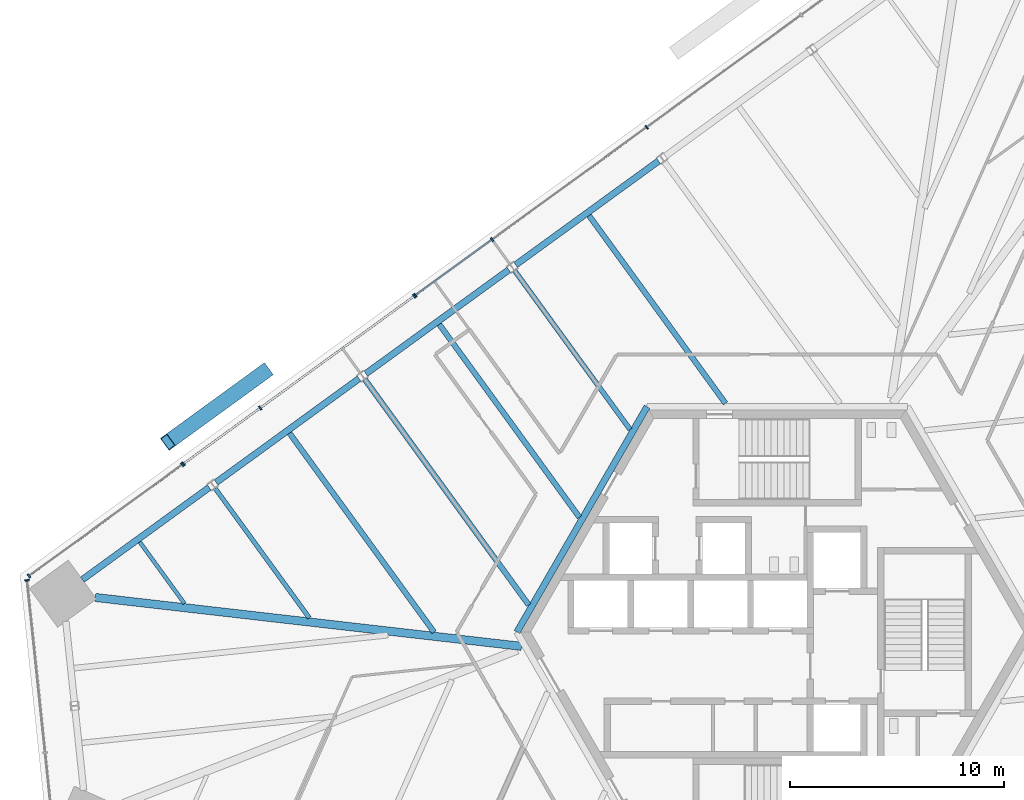
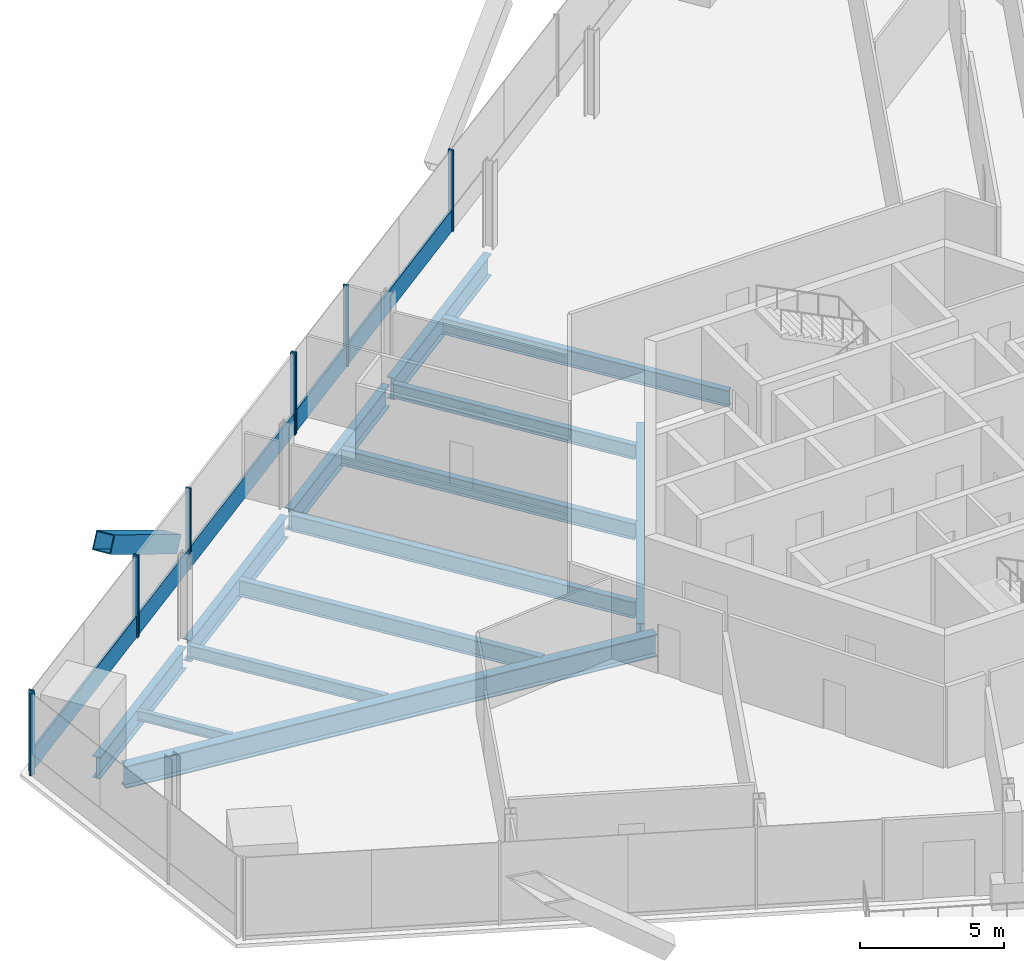
# One storey, part 6 of 18: 15 members, 13 beams, 4 elements without a shape of their own.
"""IFC4 building model written with IfcOpenShell, lengths in metres."""

from ifc_helpers import new_model, si_unit, direction, frame, origin, origin_2d, place, context, subcontext, project, spatial, rectangle, hollow_rectangle, i_section, extrude, source, transform, mapped, material, material_profile, profile_set, type_object, element, aggregate, save


model = new_model("IFC4")

# Units and contexts
model_context = context("Model", 3, precision=1e-05, world=origin(), true_north=direction((0.0, 1.0)))
body_context = subcontext(model_context, "Body", "Model", "MODEL_VIEW")
ifc_project = project(units=[si_unit("LENGTHUNIT", "METRE"), si_unit("AREAUNIT", "SQUARE_METRE"), si_unit("VOLUMEUNIT", "CUBIC_METRE"), si_unit("PLANEANGLEUNIT", "RADIAN"), si_unit("MASSUNIT", "GRAM", prefix="KILO")], contexts=[model_context])

# Site, building, storey
site_placement = place(None, origin())
site = spatial("IfcSite", under=ifc_project, at=site_placement, CompositionType="ELEMENT")
building_placement = place(site_placement, origin())
building = spatial("IfcBuilding", under=site, at=building_placement, Name="Triune Harvest Tower", CompositionType="ELEMENT")
storey_placement = place(building_placement, frame((0.0, 0.0, 83.699951171875)))
storey = spatial("IfcBuildingStorey", under=building, at=storey_placement, Name="L20", CompositionType="ELEMENT", Elevation=83.699951171875)

# Beams
ifc_material_1 = material(Name="Steel ASTM A992 Gr 50", Category="steel")
ifc_material_profile_1 = material_profile(ifc_material_1, i_section(OverallWidth=0.3046875, OverallDepth=0.914306640625, WebThickness=0.0166015625, FlangeThickness=0.02587890625, at=origin_2d()), Name="W36x160")
ifc_profile_set_1 = profile_set([ifc_material_profile_1], Name="Steel ASTM A992 Gr 50")
beam_type_1 = type_object("IfcBeamType", Name="CG-1 Core ring girder W36x160", PredefinedType="BEAM", material=ifc_profile_set_1)
shared_shape_1 = source(origin(), body_context, "Body", "SweptSolid", [
    extrude(i_section(OverallWidth=0.3046875, OverallDepth=0.914306640625, WebThickness=0.0166015625, FlangeThickness=0.02587890625, at=origin_2d()), origin(), (0.0, 0.0, 1.0), 12.176025390625),
])
beam_1_placement = place(storey_placement, frame((-6.087890625, 10.544677734375, -0.6171875), z_axis=(-0.5000099932, -0.866019634131, 0.0), x_axis=(0.866019634131, -0.5000099932, 0.0)))
element("IfcBeam", 1, at=beam_1_placement, inside=storey, type_object=beam_type_1, Name="beam/L20/CG3", PredefinedType="BEAM", context=body_context, shape_type="MappedRepresentation", body=[
    mapped(shared_shape_1, transform((0.0, 0.0, 0.0), scale=1.0)),
])
ifc_material_2 = material(Name="Steel ASTM A992 Gr 50", Category="steel")
ifc_material_profile_2 = material_profile(ifc_material_2, i_section(OverallWidth=0.3046875, OverallDepth=0.914306640625, WebThickness=0.0166015625, FlangeThickness=0.02587890625, at=origin_2d()), Name="W36x160")
ifc_profile_set_2 = profile_set([ifc_material_profile_2], Name="Steel ASTM A992 Gr 50")
beam_type_2 = type_object("IfcBeamType", Name="SB-1 Spandrel beam W36x160", PredefinedType="SPANDREL", material=ifc_profile_set_2)
shared_shape_2 = source(origin(), body_context, "Body", "SweptSolid", [
    extrude(i_section(OverallWidth=0.3046875, OverallDepth=0.914306640625, WebThickness=0.0166015625, FlangeThickness=0.02587890625, at=origin_2d()), origin(), (0.0, 0.0, 1.0), 7.337890625),
])
beam_2_placement = place(storey_placement, frame((-26.574951171875, 6.763916015625, -0.6171875), z_axis=(-0.80902661548, -0.58777200975, 0.0), x_axis=(0.58777200975, -0.80902661548, 0.0)))
element("IfcBeam", 2, at=beam_2_placement, inside=storey, type_object=beam_type_2, Name="beam/L20/SB14", PredefinedType="SPANDREL", context=body_context, shape_type="MappedRepresentation", body=[
    mapped(shared_shape_2, transform((0.0, 0.0, 0.0), scale=1.0)),
])
shared_shape_3 = source(origin(), body_context, "Body", "SweptSolid", [
    extrude(i_section(OverallWidth=0.3046875, OverallDepth=0.914306640625, WebThickness=0.0166015625, FlangeThickness=0.02587890625, at=origin_2d()), origin(), (0.0, 0.0, 1.0), 8.263427734375),
])
for number, where, z_axis, x_axis, name in (
    (3, (-5.55126953125, 22.03857421875, -0.6171875), (-0.809015786763, -0.587786914424, 0.0), (0.587786914424, -0.809015786763, 0.0), "beam/L20/SB11"),
    (4, (-12.55908203125, 16.947021484375, -0.6171875), (-0.809015786763, -0.587786914424, 0.0), (0.587786914424, -0.809015786763, 0.0), "beam/L20/SB12"),
    (5, (-19.56689453125, 11.85546875, -0.6171875), (-0.809015786763, -0.587786914424, 0.0), (0.587786914424, -0.809015786763, 0.0), "beam/L20/SB13"),
):
    element("IfcBeam", number, at=place(storey_placement, frame(where, z_axis=z_axis, x_axis=x_axis)), inside=storey, type_object=beam_type_2, Name=name, PredefinedType="SPANDREL", context=body_context, shape_type="MappedRepresentation", body=[
        mapped(shared_shape_3, transform((0.0, 0.0, 0.0), scale=1.0)),
    ])
ifc_material_3 = material(Name="Steel ASTM A992 Gr 50", Category="steel")
ifc_material_profile_3 = material_profile(ifc_material_3, i_section(OverallWidth=0.383544921875, OverallDepth=0.9423828125, WebThickness=0.022216796875, FlangeThickness=0.039794921875, at=origin_2d()), Name="W36x232")
ifc_profile_set_3 = profile_set([ifc_material_profile_3], Name="Steel ASTM A992 Gr 50")
beam_type_3 = type_object("IfcBeamType", Name="HG-1 Hip girder W36x232", PredefinedType="BEAM", material=ifc_profile_set_3)
shared_shape_4 = source(origin(), body_context, "Body", "SweptSolid", [
    extrude(i_section(OverallWidth=0.383544921875, OverallDepth=0.9423828125, WebThickness=0.022216796875, FlangeThickness=0.039794921875, at=origin_2d()), origin(), (0.0, 0.0, 1.0), 20.070556640625),
])
beam_3_placement = place(storey_placement, frame((-31.904541015625, 1.61572265625, -0.631103515625), z_axis=(0.993487545287, -0.113940762503, 0.0), x_axis=(0.113940762503, 0.993487545287, 0.0)))
element("IfcBeam", 6, at=beam_3_placement, inside=storey, type_object=beam_type_3, Name="beam/L20/HG5", PredefinedType="BEAM", context=body_context, shape_type="MappedRepresentation", body=[
    mapped(shared_shape_4, transform((0.0, 0.0, 0.0), scale=1.0)),
])
ifc_material_4 = material(Name="Steel ASTM A992 Gr 50", Category="steel")
ifc_material_profile_4 = material_profile(ifc_material_4, i_section(OverallWidth=0.22900390625, OverallDepth=0.612060546875, WebThickness=0.011962890625, FlangeThickness=0.01953125, at=origin_2d()), Name="W24x84")
ifc_profile_set_4 = profile_set([ifc_material_profile_4], Name="Steel ASTM A992 Gr 50")
beam_type_4 = type_object("IfcBeamType", Name="JT-3 Floor joist W24x84", PredefinedType="JOIST", material=ifc_profile_set_4)
shared_shape_5 = source(origin(), body_context, "Body", "SweptSolid", [
    extrude(i_section(OverallWidth=0.22900390625, OverallDepth=0.612060546875, WebThickness=0.011962890625, FlangeThickness=0.01953125, at=origin_2d()), origin(), (0.0, 0.0, 1.0), 9.186279296875),
])
beam_4_placement = place(storey_placement, frame((-12.2822265625, 16.905029296875, -0.466064453125), z_axis=(0.58779079947, -0.809012964085, 0.0), x_axis=(0.809012964085, 0.58779079947, 0.0)))
element("IfcBeam", 7, at=beam_4_placement, inside=storey, type_object=beam_type_4, Name="beam/L20/JT19", PredefinedType="JOIST", context=body_context, shape_type="MappedRepresentation", body=[
    mapped(shared_shape_5, transform((0.0, 0.0, 0.0), scale=1.0)),
])
ifc_material_5 = material(Name="Steel ASTM A992 Gr 50", Category="steel")
ifc_material_profile_5 = material_profile(ifc_material_5, i_section(OverallWidth=0.253662109375, OverallDepth=0.683349609375, WebThickness=0.012451171875, FlangeThickness=0.01904296875, at=origin_2d()), Name="W27x94")
ifc_profile_set_5 = profile_set([ifc_material_profile_5], Name="Steel ASTM A992 Gr 50")
beam_type_5 = type_object("IfcBeamType", Name="JT-4 Floor joist W27x94", PredefinedType="JOIST", material=ifc_profile_set_5)
shared_shape_6 = source(origin(), body_context, "Body", "SweptSolid", [
    extrude(i_section(OverallWidth=0.253662109375, OverallDepth=0.683349609375, WebThickness=0.012451171875, FlangeThickness=0.01904296875, at=origin_2d()), origin(), (0.0, 0.0, 1.0), 11.158935546875),
])
beam_5_placement = place(storey_placement, frame((-15.812255859375, 14.395263671875, -0.50146484375), z_axis=(0.58778396925, -0.809017926558, 0.0), x_axis=(0.809017926558, 0.58778396925, 0.0)))
element("IfcBeam", 8, at=beam_5_placement, inside=storey, type_object=beam_type_5, Name="beam/L20/JT20", PredefinedType="JOIST", context=body_context, shape_type="MappedRepresentation", body=[
    mapped(shared_shape_6, transform((0.0, 0.0, 0.0), scale=1.0)),
])
shared_shape_7 = source(origin(), body_context, "Body", "SweptSolid", [
    extrude(i_section(OverallWidth=0.253662109375, OverallDepth=0.683349609375, WebThickness=0.012451171875, FlangeThickness=0.01904296875, at=origin_2d()), origin(), (0.0, 0.0, 1.0), 10.86474609375),
])
beam_6_placement = place(storey_placement, frame((-8.804443359375, 19.48681640625, -0.50146484375), z_axis=(0.587789508047, -0.809013902371, 0.0), x_axis=(0.809013902371, 0.587789508047, 0.0)))
element("IfcBeam", 9, at=beam_6_placement, inside=storey, type_object=beam_type_5, Name="beam/L20/JT18", PredefinedType="JOIST", context=body_context, shape_type="MappedRepresentation", body=[
    mapped(shared_shape_7, transform((0.0, 0.0, 0.0), scale=1.0)),
])
shared_shape_8 = source(origin(), body_context, "Body", "SweptSolid", [
    extrude(i_section(OverallWidth=0.253662109375, OverallDepth=0.683349609375, WebThickness=0.012451171875, FlangeThickness=0.01904296875, at=origin_2d()), origin(), (0.0, 0.0, 1.0), 13.042724609375),
])
beam_7_placement = place(storey_placement, frame((-19.2900390625, 11.8134765625, -0.50146484375), z_axis=(0.587795444635, -0.809009589107, 0.0), x_axis=(0.809009589107, 0.587795444635, 0.0)))
element("IfcBeam", 10, at=beam_7_placement, inside=storey, type_object=beam_type_5, Name="beam/L20/JT21", PredefinedType="JOIST", context=body_context, shape_type="MappedRepresentation", body=[
    mapped(shared_shape_8, transform((0.0, 0.0, 0.0), scale=1.0)),
])
shared_shape_9 = source(origin(), body_context, "Body", "SweptSolid", [
    extrude(i_section(OverallWidth=0.253662109375, OverallDepth=0.683349609375, WebThickness=0.012451171875, FlangeThickness=0.01904296875, at=origin_2d()), origin(), (0.0, 0.0, 1.0), 11.511474609375),
])
beam_8_placement = place(storey_placement, frame((-22.820068359375, 9.3037109375, -0.50146484375), z_axis=(0.587775656534, -0.809023966015, 0.0), x_axis=(0.809023966015, 0.587775656534, 0.0)))
element("IfcBeam", 11, at=beam_8_placement, inside=storey, type_object=beam_type_5, Name="beam/L20/JT22", PredefinedType="JOIST", context=body_context, shape_type="MappedRepresentation", body=[
    mapped(shared_shape_9, transform((0.0, 0.0, 0.0), scale=1.0)),
])
ifc_material_6 = material(Name="Steel ASTM A992 Gr 50", Category="steel")
ifc_material_profile_6 = material_profile(ifc_material_6, i_section(OverallWidth=0.2099609375, OverallDepth=0.535888671875, WebThickness=0.010986328125, FlangeThickness=0.017333984375, at=origin_2d()), Name="W21x68")
ifc_profile_set_6 = profile_set([ifc_material_profile_6], Name="Steel ASTM A992 Gr 50")
beam_type_6 = type_object("IfcBeamType", Name="JT-2 Floor joist W21x68", PredefinedType="JOIST", material=ifc_profile_set_6)
shared_shape_10 = source(origin(), body_context, "Body", "SweptSolid", [
    extrude(i_section(OverallWidth=0.2099609375, OverallDepth=0.535888671875, WebThickness=0.010986328125, FlangeThickness=0.017333984375, at=origin_2d()), origin(), (0.0, 0.0, 1.0), 7.4921875),
])
beam_9_placement = place(storey_placement, frame((-26.2978515625, 6.721923828125, -0.427978515625), z_axis=(0.587787996274, -0.809015000748, 0.0), x_axis=(0.809015000748, 0.587787996274, 0.0)))
element("IfcBeam", 12, at=beam_9_placement, inside=storey, type_object=beam_type_6, Name="beam/L20/JT23", PredefinedType="JOIST", context=body_context, shape_type="MappedRepresentation", body=[
    mapped(shared_shape_10, transform((0.0, 0.0, 0.0), scale=1.0)),
])
ifc_material_7 = material(Name="Steel ASTM A992 Gr 50", Category="steel")
ifc_material_profile_7 = material_profile(ifc_material_7, i_section(OverallWidth=0.180908203125, OverallDepth=0.41650390625, WebThickness=0.010986328125, FlangeThickness=0.01806640625, at=origin_2d()), Name="W16x57")
ifc_profile_set_7 = profile_set([ifc_material_profile_7], Name="Steel ASTM A992 Gr 50")
beam_type_7 = type_object("IfcBeamType", Name="JT-1 Floor joist W16x57", PredefinedType="JOIST", material=ifc_profile_set_7)
shared_shape_11 = source(origin(), body_context, "Body", "SweptSolid", [
    extrude(i_section(OverallWidth=0.180908203125, OverallDepth=0.41650390625, WebThickness=0.010986328125, FlangeThickness=0.01806640625, at=origin_2d()), origin(), (0.0, 0.0, 1.0), 3.561767578125),
])
beam_10_placement = place(storey_placement, frame((-29.827880859375, 4.212158203125, -0.3681640625), z_axis=(0.587768138852, -0.80902942774, 0.0), x_axis=(0.80902942774, 0.587768138852, 0.0)))
element("IfcBeam", 13, at=beam_10_placement, inside=storey, type_object=beam_type_7, Name="beam/L20/JT24", PredefinedType="JOIST", context=body_context, shape_type="MappedRepresentation", body=[
    mapped(shared_shape_11, transform((0.0, 0.0, 0.0), scale=1.0)),
])

# Member
ifc_material_8 = material(Name="Steel ASTM A572 Gr 50", Category="steel")
ifc_material_profile_8 = material_profile(ifc_material_8, hollow_rectangle(XDim=0.699951171875, YDim=0.699951171875, WallThickness=0.0400390625, at=origin_2d()), Name="Box 700x700x40")
ifc_profile_set_8 = profile_set([ifc_material_profile_8], Name="Steel ASTM A572 Gr 50")
member_type_1 = type_object("IfcMemberType", Name="BR-1 Brace Box 700x700x40", PredefinedType="BRACE", material=ifc_profile_set_8)
shared_shape_12 = source(origin(), body_context, "Body", "SweptSolid", [
    extrude(hollow_rectangle(XDim=0.699951171875, YDim=0.699951171875, WallThickness=0.0400390625, at=origin_2d()), origin(), (0.0, 0.0, 1.0), 6.702392578125),
])
member_1_placement = place(storey_placement, frame((-23.937255859375, 12.209716796875, 0.0), z_axis=(-0.682402930681, -0.495793012144, 0.537136415919), x_axis=(0.587783903514, -0.809017974318, 0.0)))
element("IfcMember", 14, at=member_1_placement, inside=storey, type_object=member_type_1, Name="brace/B2-F3/d1/8", PredefinedType="BRACE", context=body_context, shape_type="MappedRepresentation", body=[
    mapped(shared_shape_12, transform((0.0, 0.0, 0.0), scale=1.0)),
])

# Curtain wall, members
ifc_material_9 = material(Name="Aluminium bronze anodised", Category="aluminium")
curtain_wall_type_1 = type_object("IfcCurtainWallType", Name="CW-1 Tower stick curtain wall", PredefinedType="NOTDEFINED", material=ifc_material_9)
curtain_wall_1_placement = place(storey_placement, origin())
curtain_wall_1 = element("IfcCurtainWall", 15, at=curtain_wall_1_placement, inside=storey, type_object=curtain_wall_type_1, Name="CW-1 B2-F3 L20 run 1")
ifc_material_10 = material(Name="Aluminium bronze anodised", Category="aluminium")
ifc_material_profile_9 = material_profile(ifc_material_10, rectangle(XDim=0.199951171875, YDim=0.074951171875, at=origin_2d()), Name="MU-1 mullion 75 x 200")
ifc_profile_set_9 = profile_set([ifc_material_profile_9], Name="Aluminium bronze anodised")
member_type_2 = type_object("IfcMemberType", Name="MU-1 mullion 75 x 200", PredefinedType="MULLION", material=ifc_profile_set_9)
shared_shape_13 = source(origin(), body_context, "Body", "SweptSolid", [
    extrude(rectangle(XDim=0.199951171875, YDim=0.074951171875, at=origin_2d()), origin(), (0.0, 0.0, 1.0), 3.43994140625),
])
member_2_placement = place(storey_placement, frame((-6.10791015625, 23.618408203125, 0.0), z_axis=(0.0, 0.0, 1.0), x_axis=(0.587783995498, -0.809017907488, 0.0)))
member_2 = element("IfcMember", 16, at=member_2_placement, type_object=member_type_2, Name="CW-1 mullion B2-F3 1.5", PredefinedType="MULLION", context=body_context, shape_type="MappedRepresentation", body=[
    mapped(shared_shape_13, transform((0.0, 0.0, 0.0), scale=1.0)),
])
member_3_placement = place(storey_placement, frame((-13.34130859375, 18.363037109375, 0.0), z_axis=(0.0, 0.0, 1.0), x_axis=(0.587783995498, -0.809017907488, 0.0)))
member_3 = element("IfcMember", 17, at=member_3_placement, type_object=member_type_2, Name="CW-1 mullion B2-F3 1.7", PredefinedType="MULLION", context=body_context, shape_type="MappedRepresentation", body=[
    mapped(shared_shape_13, transform((0.0, 0.0, 0.0), scale=1.0)),
])
member_4_placement = place(storey_placement, frame((-16.927978515625, 15.75732421875, 0.0), z_axis=(0.0, 0.0, 1.0), x_axis=(0.587783995498, -0.809017907488, 0.0)))
member_4 = element("IfcMember", 18, at=member_4_placement, type_object=member_type_2, Name="CW-1 mullion B2-F3 1.8", PredefinedType="MULLION", context=body_context, shape_type="MappedRepresentation", body=[
    mapped(shared_shape_13, transform((0.0, 0.0, 0.0), scale=1.0)),
])

ifc_material_11 = material(Name="Aluminium bronze anodised", Category="aluminium")
curtain_wall_type_2 = type_object("IfcCurtainWallType", Name="CW-7 Tower stick curtain wall with insulated spandrel infill", PredefinedType="NOTDEFINED", material=ifc_material_11)
curtain_wall_2_placement = place(storey_placement, origin())
curtain_wall_2 = element("IfcCurtainWall", 19, at=curtain_wall_2_placement, inside=storey, type_object=curtain_wall_type_2, Name="CW-7 B2-F3 L20 run 1001")
member_5_placement = place(storey_placement, frame((-16.988525390625, 15.713134765625, 0.0), z_axis=(0.0, 0.0, 1.0), x_axis=(0.587785037979, -0.809017150083, 0.0)))
member_5 = element("IfcMember", 20, at=member_5_placement, type_object=member_type_2, Name="CW-7 mullion B2-F3 1001.1", PredefinedType="MULLION", context=body_context, shape_type="MappedRepresentation", body=[
    mapped(shared_shape_13, transform((0.0, 0.0, 0.0), scale=1.0)),
])
member_6_placement = place(storey_placement, frame((-24.191650390625, 10.479736328125, 0.0), z_axis=(0.0, 0.0, 1.0), x_axis=(0.587785037979, -0.809017150083, 0.0)))
member_6 = element("IfcMember", 21, at=member_6_placement, type_object=member_type_2, Name="CW-7 mullion B2-F3 1001.3", PredefinedType="MULLION", context=body_context, shape_type="MappedRepresentation", body=[
    mapped(shared_shape_13, transform((0.0, 0.0, 0.0), scale=1.0)),
])
member_7_placement = place(storey_placement, frame((-27.778076171875, 7.8740234375, 0.0), z_axis=(0.0, 0.0, 1.0), x_axis=(0.587785037979, -0.809017150083, 0.0)))
member_7 = element("IfcMember", 22, at=member_7_placement, type_object=member_type_2, Name="CW-7 mullion B2-F3 1001.4", PredefinedType="MULLION", context=body_context, shape_type="MappedRepresentation", body=[
    mapped(shared_shape_13, transform((0.0, 0.0, 0.0), scale=1.0)),
])

curtain_wall_3_placement = place(storey_placement, origin())
curtain_wall_3 = element("IfcCurtainWall", 23, at=curtain_wall_3_placement, inside=storey, type_object=curtain_wall_type_1, Name="CW-1 B2-F3 L20 run 2001")
member_8_placement = place(storey_placement, frame((-27.8388671875, 7.830078125, 0.0), z_axis=(0.0, 0.0, 1.0), x_axis=(0.587789815066, -0.809013679307, 0.0)))
member_8 = element("IfcMember", 24, at=member_8_placement, type_object=member_type_2, Name="CW-1 mullion B2-F3 2001.1", PredefinedType="MULLION", context=body_context, shape_type="MappedRepresentation", body=[
    mapped(shared_shape_13, transform((0.0, 0.0, 0.0), scale=1.0)),
])
member_9_placement = place(storey_placement, frame((-35.01171875, 2.61865234375, 0.0), z_axis=(0.0, 0.0, 1.0), x_axis=(0.587789815066, -0.809013679307, 0.0)))
member_9 = element("IfcMember", 25, at=member_9_placement, type_object=member_type_2, Name="CW-1 mullion B2-F3 2001.3", PredefinedType="MULLION", context=body_context, shape_type="MappedRepresentation", body=[
    mapped(shared_shape_13, transform((0.0, 0.0, 0.0), scale=1.0)),
])

# Curtain wall, member
curtain_wall_4_placement = place(storey_placement, origin())
curtain_wall_4 = element("IfcCurtainWall", 26, at=curtain_wall_4_placement, inside=storey, type_object=curtain_wall_type_1, Name="CW-1 B2-F4 L20 run 1")
member_10_placement = place(storey_placement, frame((-35.1015625, 2.416748046875, 0.0), z_axis=(0.0, 0.0, 1.0), x_axis=(0.994521790334, 0.104529462601, 0.0)))
member_10 = element("IfcMember", 27, at=member_10_placement, type_object=member_type_2, Name="CW-1 mullion B2-F4 1.1", PredefinedType="MULLION", context=body_context, shape_type="MappedRepresentation", body=[
    mapped(shared_shape_13, transform((0.0, 0.0, 0.0), scale=1.0)),
])
aggregate(curtain_wall_4, [member_10])

# Member
ifc_material_12 = material(Name="Aluminium bronze anodised", Category="aluminium")
ifc_material_profile_10 = material_profile(ifc_material_12, rectangle(XDim=0.090087890625, YDim=0.89990234375, at=origin_2d()), Name="TR-1 transom 90 x 900")
ifc_profile_set_10 = profile_set([ifc_material_profile_10], Name="Aluminium bronze anodised")
member_type_3 = type_object("IfcMemberType", Name="TR-1 transom 90 x 900", PredefinedType="USERDEFINED", material=ifc_profile_set_10)
shared_shape_14 = source(origin(), body_context, "Body", "SweptSolid", [
    extrude(rectangle(XDim=0.090087890625, YDim=0.89990234375, at=origin_2d()), origin(), (0.0, 0.0, 1.0), 8.8662109375),
])
member_11_placement = place(storey_placement, frame((-6.13818359375, 23.596435546875, 0.449951171875), z_axis=(-0.809014630499, -0.587788505875, 0.0), x_axis=(0.587788505875, -0.809014630499, 0.0)))
member_11 = element("IfcMember", 28, at=member_11_placement, type_object=member_type_3, Name="CW-1 transom B2-F3 1.3", ObjectType="TRANSOM", PredefinedType="USERDEFINED", context=body_context, shape_type="MappedRepresentation", body=[
    mapped(shared_shape_14, transform((0.0, 0.0, 0.0), scale=1.0)),
])

shared_shape_15 = source(origin(), body_context, "Body", "SweptSolid", [
    extrude(rectangle(XDim=0.090087890625, YDim=0.89990234375, at=origin_2d()), origin(), (0.0, 0.0, 1.0), 8.828857421875),
])
member_12_placement = place(storey_placement, frame((-17.018798828125, 15.691162109375, 0.449951171875), z_axis=(-0.809013420252, -0.587790171619, 0.0), x_axis=(0.587790171619, -0.809013420252, 0.0)))
member_12 = element("IfcMember", 29, at=member_12_placement, type_object=member_type_3, Name="CW-7 transom B2-F3 1001.1", ObjectType="TRANSOM", PredefinedType="USERDEFINED", context=body_context, shape_type="MappedRepresentation", body=[
    mapped(shared_shape_15, transform((0.0, 0.0, 0.0), scale=1.0)),
])

shared_shape_16 = source(origin(), body_context, "Body", "SweptSolid", [
    extrude(rectangle(XDim=0.090087890625, YDim=0.89990234375, at=origin_2d()), origin(), (0.0, 0.0, 1.0), 4.35791015625),
])
member_13_placement = place(storey_placement, frame((-13.371826171875, 18.3408203125, 0.449951171875), z_axis=(-0.809017011609, -0.587785228572, 0.0), x_axis=(0.587785228572, -0.809017011609, 0.0)))
member_13 = element("IfcMember", 30, at=member_13_placement, type_object=member_type_3, Name="CW-1 transom B2-F3 1.4", ObjectType="TRANSOM", PredefinedType="USERDEFINED", context=body_context, shape_type="MappedRepresentation", body=[
    mapped(shared_shape_16, transform((0.0, 0.0, 0.0), scale=1.0)),
])

aggregate(curtain_wall_1, [member_2, member_3, member_4, member_11, member_13])

shared_shape_17 = source(origin(), body_context, "Body", "SweptSolid", [
    extrude(rectangle(XDim=0.090087890625, YDim=0.89990234375, at=origin_2d()), origin(), (0.0, 0.0, 1.0), 4.358154296875),
])
member_14_placement = place(storey_placement, frame((-24.22216796875, 10.457763671875, 0.449951171875), z_axis=(-0.808990371503, -0.587821893787, 0.0), x_axis=(0.587821893787, -0.808990371503, 0.0)))
member_14 = element("IfcMember", 31, at=member_14_placement, type_object=member_type_3, Name="CW-7 transom B2-F3 1001.2", ObjectType="TRANSOM", PredefinedType="USERDEFINED", context=body_context, shape_type="MappedRepresentation", body=[
    mapped(shared_shape_17, transform((0.0, 0.0, 0.0), scale=1.0)),
])

aggregate(curtain_wall_2, [member_5, member_6, member_7, member_12, member_14])

shared_shape_18 = source(origin(), body_context, "Body", "SweptSolid", [
    extrude(rectangle(XDim=0.090087890625, YDim=0.89990234375, at=origin_2d()), origin(), (0.0, 0.0, 1.0), 8.791015625),
])
member_15_placement = place(storey_placement, frame((-27.869140625, 7.807861328125, 0.449951171875), z_axis=(-0.809015810877, -0.587786881234, 0.0), x_axis=(0.587786881234, -0.809015810877, 0.0)))
member_15 = element("IfcMember", 32, at=member_15_placement, type_object=member_type_3, Name="CW-1 transom B2-F3 2001.1", ObjectType="TRANSOM", PredefinedType="USERDEFINED", context=body_context, shape_type="MappedRepresentation", body=[
    mapped(shared_shape_18, transform((0.0, 0.0, 0.0), scale=1.0)),
])

aggregate(curtain_wall_3, [member_8, member_9, member_15])

save(model, "model.ifc")
